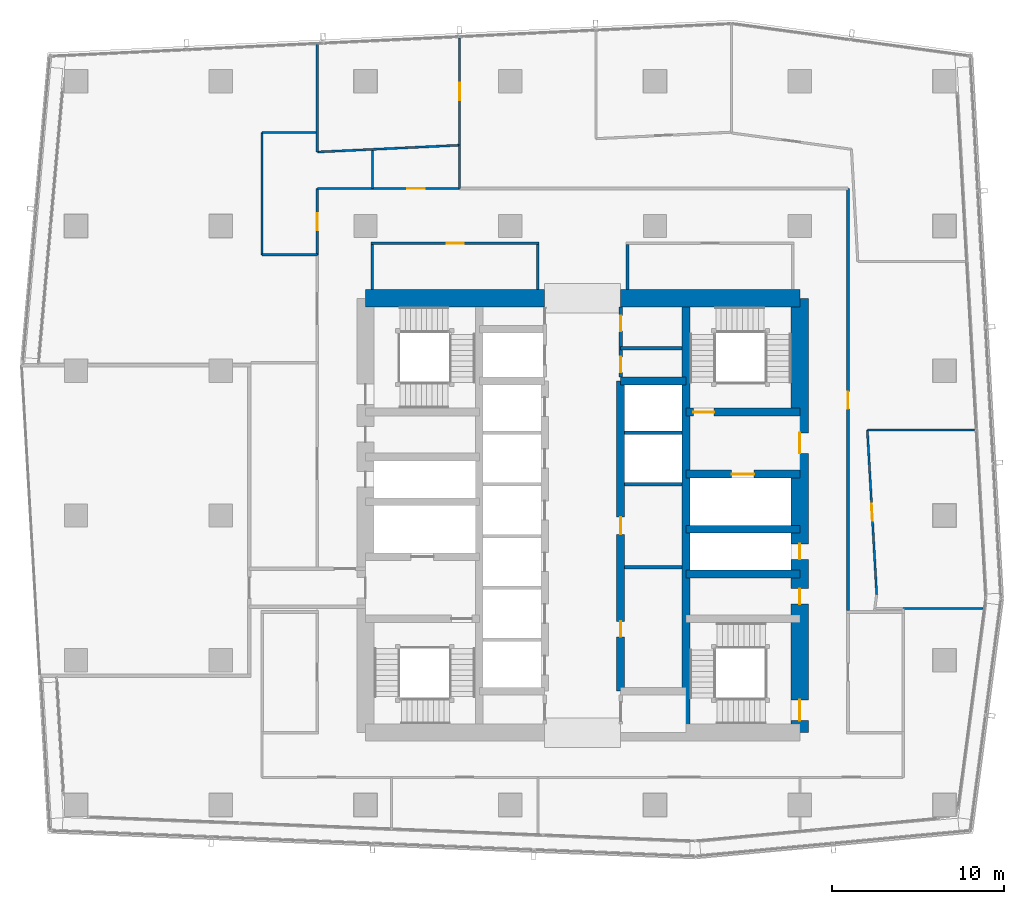
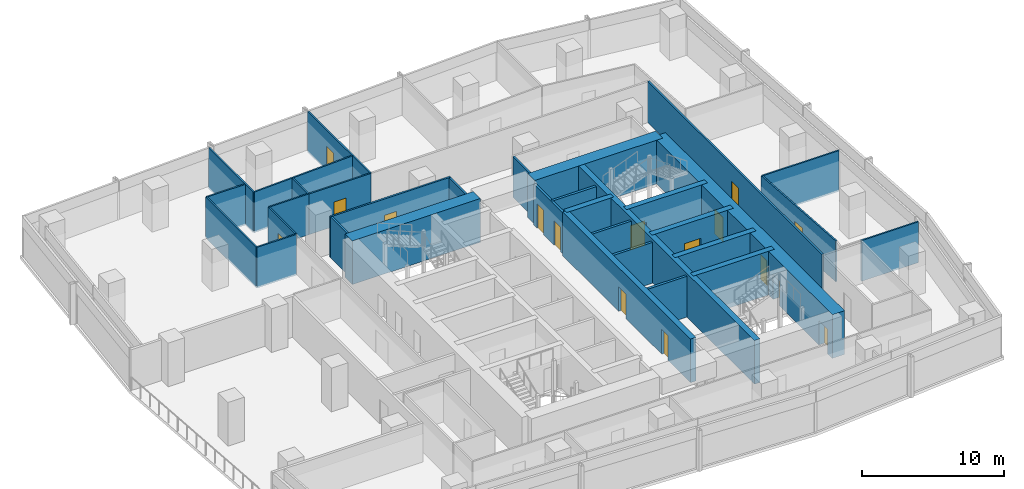
# One storey, part 28 of 39: 34 walls, 16 doors, 16 openings.
"""IFC4 building model written with IfcOpenShell, lengths in metres."""

from ifc_helpers import new_model, si_unit, direction, frame, frame_2d, origin, place, context, subcontext, project, spatial, rectangle, extrude, material, layer, layer_set, type_object, element, fill, save


model = new_model("IFC4")

# Units and contexts
model_context = context("Model", 3, precision=1e-05, world=origin(), true_north=direction((0.0, 1.0)))
body_context = subcontext(model_context, "Body", "Model", "MODEL_VIEW")
ifc_project = project(units=[si_unit("LENGTHUNIT", "METRE"), si_unit("AREAUNIT", "SQUARE_METRE"), si_unit("VOLUMEUNIT", "CUBIC_METRE"), si_unit("PLANEANGLEUNIT", "RADIAN"), si_unit("MASSUNIT", "GRAM", prefix="KILO")], contexts=[model_context])

# Site, building, storey
site_placement = place(None, origin())
site = spatial("IfcSite", under=ifc_project, at=site_placement, CompositionType="ELEMENT")
building_placement = place(site_placement, origin())
building = spatial("IfcBuilding", under=site, at=building_placement, Name="Rekha Terrace Tower", CompositionType="ELEMENT")
storey_placement = place(building_placement, frame((0.0, 0.0, 221.449951171875)))
storey = spatial("IfcBuildingStorey", under=building, at=storey_placement, Name="L56", CompositionType="ELEMENT", Elevation=221.449951171875)

# Wall
ifc_material_1 = material(Name="Concrete M60", Category="concrete")
ifc_layer_1 = layer(ifc_material_1, 0.449951171875)
ifc_layer_set_1 = layer_set([ifc_layer_1], Name="Concrete M60")
wall_type_1 = type_object("IfcWallType", Name="CI3 450 core internal shear wall", PredefinedType="SHEAR", material=ifc_layer_set_1)
wall_1_placement = place(storey_placement, frame((43.800048828125, 21.0, 0.0), z_axis=(0.0, 0.0, 1.0), x_axis=(0.0, 1.0, 0.0)))
element("IfcWall", 1, at=wall_1_placement, inside=storey, type_object=wall_type_1, Name="Core wall X438 L56", PredefinedType="SHEAR", context=body_context, shape_type="SweptSolid", body=[
    extrude(rectangle(XDim=25.199951171875, YDim=0.449951171875, at=frame_2d((12.60009765625, 0.0))), origin(), (0.0, 0.0, 1.0), 3.75),
])

# Wall, openings, doors
wall_2_placement = place(storey_placement, frame((40.0, 23.39990234375, 0.0), z_axis=(0.0, 0.0, 1.0), x_axis=(0.0, 1.0, 0.0)))
wall_2 = element("IfcWall", 2, at=wall_2_placement, inside=storey, type_object=wall_type_1, Name="Core wall X400 L56", PredefinedType="SHEAR", context=body_context, shape_type="SweptSolid", body=[
    extrude(rectangle(XDim=18.0, YDim=0.449951171875, at=frame_2d((9.0, 0.0))), origin(), (0.0, 0.0, 1.0), 3.75),
])
opening_1_placement = place(wall_2_placement, frame((3.14990234375, 0.0, 0.0)))
opening_1 = element("IfcOpeningElement", 3, at=opening_1_placement, cuts=wall_2, Name="Opening D5", PredefinedType="OPENING", context=body_context, shape_type="SweptSolid", body=[
    extrude(rectangle(XDim=0.89990234375, YDim=2.10009765625, at=frame_2d((0.449951171875, 1.050048828125))), frame((0.0, 0.23486328125, 0.0), z_axis=(0.0, -1.0, 0.0), x_axis=(1.0, 0.0, 0.0)), (0.0, 0.0, 1.0), 0.469970703125),
])
opening_2_placement = place(wall_2_placement, frame((9.10009765625, 0.0, 0.0)))
opening_2 = element("IfcOpeningElement", 4, at=opening_2_placement, cuts=wall_2, Name="Opening D9", PredefinedType="OPENING", context=body_context, shape_type="SweptSolid", body=[
    extrude(rectangle(XDim=1.0, YDim=2.10009765625, at=frame_2d((0.5, 1.050048828125))), frame((0.0, 0.23486328125, 0.0), z_axis=(0.0, -1.0, 0.0), x_axis=(1.0, 0.0, 0.0)), (0.0, 0.0, 1.0), 0.469970703125),
])
ifc_material_2 = material(Name="Steel fire door", Category="steel")
door_type_1 = type_object("IfcDoorType", Name="D5 900x2100 riser access door", OperationType="SINGLE_SWING_LEFT", PredefinedType="DOOR", material=ifc_material_2)
door_1_placement = place(opening_1_placement, origin())
door_1 = element("IfcDoor", 5, at=door_1_placement, inside=storey, type_object=door_type_1, Name="Door back-of-house store L56", OperationType="SINGLE_SWING_LEFT", OverallHeight=2.10009765625, OverallWidth=0.89990234375, PredefinedType="DOOR", context=body_context, shape_type="SweptSolid", body=[
    extrude(rectangle(XDim=0.89990234375, YDim=2.10009765625, at=frame_2d((0.449951171875, 1.050048828125))), frame((0.0, 0.02490234375, 0.0), z_axis=(0.0, -1.0, 0.0), x_axis=(1.0, 0.0, 0.0)), (0.0, 0.0, 1.0), 0.050048828125),
])
fill(opening_1, door_1)
ifc_material_3 = material(Name="Timber fire door", Category="wood")
door_type_2 = type_object("IfcDoorType", Name="D9 1000x2100 office door", OperationType="SINGLE_SWING_LEFT", PredefinedType="DOOR", material=ifc_material_3)
door_2_placement = place(opening_2_placement, origin())
door_2 = element("IfcDoor", 6, at=door_2_placement, inside=storey, type_object=door_type_2, Name="Door pantry and vending room L56", OperationType="SINGLE_SWING_LEFT", OverallHeight=2.10009765625, OverallWidth=1.0, PredefinedType="DOOR", context=body_context, shape_type="SweptSolid", body=[
    extrude(rectangle(XDim=1.0, YDim=2.10009765625, at=frame_2d((0.5, 1.050048828125))), frame((0.0, 0.02490234375, 0.0), z_axis=(0.0, -1.0, 0.0), x_axis=(1.0, 0.0, 0.0)), (0.0, 0.0, 1.0), 0.050048828125),
])
fill(opening_2, door_2)

# Walls
wall_3_placement = place(storey_placement, frame((40.0, 41.39990234375, 0.0), z_axis=(0.0, 0.0, 1.0), x_axis=(1.0, 0.0, 0.0)))
element("IfcWall", 7, at=wall_3_placement, inside=storey, type_object=wall_type_1, Name="Core wall Y414E L56", PredefinedType="SHEAR", context=body_context, shape_type="SweptSolid", body=[
    extrude(rectangle(XDim=3.800048828125, YDim=0.449951171875, at=frame_2d((1.89990234375, 0.0))), origin(), (0.0, 0.0, 1.0), 3.75),
])
for number, where, z_axis, x_axis, name in (
    (8, (43.800048828125, 30.199951171875, 0.0), (0.0, 0.0, 1.0), (1.0, 0.0, 0.0), "Core wall Y302E L56"),
    (9, (43.800048828125, 32.800048828125, 0.0), (0.0, 0.0, 1.0), (1.0, 0.0, 0.0), "Core wall Y328E L56"),
):
    element("IfcWall", number, at=place(storey_placement, frame(where, z_axis=z_axis, x_axis=x_axis)), inside=storey, type_object=wall_type_1, Name=name, PredefinedType="SHEAR", context=body_context, shape_type="SweptSolid", body=[
        extrude(rectangle(XDim=6.599853515625, YDim=0.449951171875, at=frame_2d((3.2998046875, 0.0))), origin(), (0.0, 0.0, 1.0), 3.75),
    ])

# Wall, opening, door
wall_4_placement = place(storey_placement, frame((43.800048828125, 36.0, 0.0), z_axis=(0.0, 0.0, 1.0), x_axis=(1.0, 0.0, 0.0)))
wall_4 = element("IfcWall", 10, at=wall_4_placement, inside=storey, type_object=wall_type_1, Name="Core wall Y360E L56", PredefinedType="SHEAR", context=body_context, shape_type="SweptSolid", body=[
    extrude(rectangle(XDim=6.599853515625, YDim=0.449951171875, at=frame_2d((3.2998046875, 0.0))), origin(), (0.0, 0.0, 1.0), 3.75),
])
opening_3_placement = place(wall_4_placement, frame((2.64990234375, 0.0, 0.0)))
opening_3 = element("IfcOpeningElement", 11, at=opening_3_placement, cuts=wall_4, Name="Opening LD2", PredefinedType="OPENING", context=body_context, shape_type="SweptSolid", body=[
    extrude(rectangle(XDim=1.300048828125, YDim=2.10009765625, at=frame_2d((0.64990234375, 1.050048828125))), frame((0.0, 0.23486328125, 0.0), z_axis=(0.0, -1.0, 0.0), x_axis=(1.0, 0.0, 0.0)), (0.0, 0.0, 1.0), 0.469970703125),
])
ifc_material_4 = material(Name="Stainless steel sliding landing door", Category="steel")
door_type_3 = type_object("IfcDoorType", Name="LD2 1300x2100 fire lift landing door", OperationType="SLIDING_TO_LEFT", PredefinedType="USERDEFINED", material=ifc_material_4)
door_3_placement = place(opening_3_placement, origin())
door_3 = element("IfcDoor", 12, at=door_3_placement, inside=storey, type_object=door_type_3, Name="Lift FL2 landing door L56", ObjectType="LIFT LANDING DOOR", OperationType="SLIDING_TO_LEFT", OverallHeight=2.10009765625, OverallWidth=1.300048828125, PredefinedType="USERDEFINED", context=body_context, shape_type="SweptSolid", body=[
    extrude(rectangle(XDim=1.300048828125, YDim=2.10009765625, at=frame_2d((0.64990234375, 1.050048828125))), frame((0.0, 0.02490234375, 0.0), z_axis=(0.0, -1.0, 0.0), x_axis=(1.0, 0.0, 0.0)), (0.0, 0.0, 1.0), 0.050048828125),
])
fill(opening_3, door_3)

wall_5_placement = place(storey_placement, frame((43.800048828125, 39.60009765625, 0.0), z_axis=(0.0, 0.0, 1.0), x_axis=(1.0, 0.0, 0.0)))
wall_5 = element("IfcWall", 13, at=wall_5_placement, inside=storey, type_object=wall_type_1, Name="Core wall Y396E L56", PredefinedType="SHEAR", context=body_context, shape_type="SweptSolid", body=[
    extrude(rectangle(XDim=6.599853515625, YDim=0.449951171875, at=frame_2d((3.2998046875, 0.0))), origin(), (0.0, 0.0, 1.0), 3.75),
])
opening_4_placement = place(wall_5_placement, frame((0.425048828125, 0.0, 0.0)))
opening_4 = element("IfcOpeningElement", 14, at=opening_4_placement, cuts=wall_5, Name="Opening D1", PredefinedType="OPENING", context=body_context, shape_type="SweptSolid", body=[
    extrude(rectangle(XDim=1.199951171875, YDim=2.10009765625, at=frame_2d((0.60009765625, 1.050048828125))), frame((0.0, 0.23486328125, 0.0), z_axis=(0.0, -1.0, 0.0), x_axis=(1.0, 0.0, 0.0)), (0.0, 0.0, 1.0), 0.469970703125),
])
door_type_4 = type_object("IfcDoorType", Name="D1 1200x2100 stair fire door", OperationType="SINGLE_SWING_RIGHT", PredefinedType="DOOR", material=ifc_material_2)
door_4_placement = place(opening_4_placement, origin())
door_4 = element("IfcDoor", 15, at=door_4_placement, inside=storey, type_object=door_type_4, Name="Stair ST2 door L56", OperationType="SINGLE_SWING_RIGHT", OverallHeight=2.10009765625, OverallWidth=1.199951171875, PredefinedType="DOOR", context=body_context, shape_type="SweptSolid", body=[
    extrude(rectangle(XDim=1.199951171875, YDim=2.10009765625, at=frame_2d((0.60009765625, 1.050048828125))), frame((0.0, 0.02490234375, 0.0), z_axis=(0.0, -1.0, 0.0), x_axis=(1.0, 0.0, 0.0)), (0.0, 0.0, 1.0), 0.050048828125),
])
fill(opening_4, door_4)

# Walls
ifc_layer_2 = layer(ifc_material_1, 1.0)
ifc_layer_set_2 = layer_set([ifc_layer_2], Name="Concrete M60")
wall_type_2 = type_object("IfcWallType", Name="SW3 1000 core outer shear wall", PredefinedType="SHEAR", material=ifc_layer_set_2)
wall_6_placement = place(storey_placement, frame((25.199951171875, 46.199951171875, 0.0), z_axis=(0.0, 0.0, 1.0), x_axis=(1.0, 0.0, 0.0)))
element("IfcWall", 16, at=wall_6_placement, inside=storey, type_object=wall_type_2, Name="Core wall N1 L56", PredefinedType="SHEAR", context=body_context, shape_type="SweptSolid", body=[
    extrude(rectangle(XDim=10.400146484375, YDim=1.0, at=frame_2d((5.2001953125, 0.0))), origin(), (0.0, 0.0, 1.0), 3.75),
])
wall_7_placement = place(storey_placement, frame((40.0, 46.199951171875, 0.0), z_axis=(0.0, 0.0, 1.0), x_axis=(1.0, 0.0, 0.0)))
element("IfcWall", 17, at=wall_7_placement, inside=storey, type_object=wall_type_2, Name="Core wall N2 L56", PredefinedType="SHEAR", context=body_context, shape_type="SweptSolid", body=[
    extrude(rectangle(XDim=10.39990234375, YDim=1.0, at=frame_2d((5.199951171875, 0.0))), origin(), (0.0, 0.0, 1.0), 3.75),
])

# Wall, openings, doors
wall_8_placement = place(storey_placement, frame((50.39990234375, 21.0, 0.0), z_axis=(0.0, 0.0, 1.0), x_axis=(0.0, 1.0, 0.0)))
wall_8 = element("IfcWall", 18, at=wall_8_placement, inside=storey, type_object=wall_type_2, Name="Core wall E L56", PredefinedType="SHEAR", context=body_context, shape_type="SweptSolid", body=[
    extrude(rectangle(XDim=25.199951171875, YDim=1.0, at=frame_2d((12.60009765625, 0.0))), origin(), (0.0, 0.0, 1.0), 3.75),
])
opening_5_placement = place(wall_8_placement, frame((16.199951171875, 0.0, 0.0)))
opening_5 = element("IfcOpeningElement", 19, at=opening_5_placement, cuts=wall_8, Name="Opening D2", PredefinedType="OPENING", context=body_context, shape_type="SweptSolid", body=[
    extrude(rectangle(XDim=1.199951171875, YDim=2.10009765625, at=frame_2d((0.60009765625, 1.050048828125))), frame((0.0, 0.510009765625, 0.0), z_axis=(0.0, -1.0, 0.0), x_axis=(1.0, 0.0, 0.0)), (0.0, 0.0, 1.0), 1.02001953125),
])
opening_6_placement = place(wall_8_placement, frame((10.050048828125, 0.0, 0.0)))
opening_6 = element("IfcOpeningElement", 20, at=opening_6_placement, cuts=wall_8, Name="Opening D5", PredefinedType="OPENING", context=body_context, shape_type="SweptSolid", body=[
    extrude(rectangle(XDim=0.89990234375, YDim=2.10009765625, at=frame_2d((0.449951171875, 1.050048828125))), frame((0.0, 0.510009765625, 0.0), z_axis=(0.0, -1.0, 0.0), x_axis=(1.0, 0.0, 0.0)), (0.0, 0.0, 1.0), 1.02001953125),
])
opening_7_placement = place(wall_8_placement, frame((7.449951171875, 0.0, 0.0)))
opening_7 = element("IfcOpeningElement", 21, at=opening_7_placement, cuts=wall_8, Name="Opening D5", PredefinedType="OPENING", context=body_context, shape_type="SweptSolid", body=[
    extrude(rectangle(XDim=0.89990234375, YDim=2.10009765625, at=frame_2d((0.449951171875, 1.050048828125))), frame((0.0, 0.510009765625, 0.0), z_axis=(0.0, -1.0, 0.0), x_axis=(1.0, 0.0, 0.0)), (0.0, 0.0, 1.0), 1.02001953125),
])
opening_8_placement = place(wall_8_placement, frame((0.699951171875, 0.0, 0.0)))
opening_8 = element("IfcOpeningElement", 22, at=opening_8_placement, cuts=wall_8, Name="Opening D1", PredefinedType="OPENING", context=body_context, shape_type="SweptSolid", body=[
    extrude(rectangle(XDim=1.199951171875, YDim=2.10009765625, at=frame_2d((0.60009765625, 1.050048828125))), frame((0.0, 0.510009765625, 0.0), z_axis=(0.0, -1.0, 0.0), x_axis=(1.0, 0.0, 0.0)), (0.0, 0.0, 1.0), 1.02001953125),
])
door_5_placement = place(opening_8_placement, origin())
door_5 = element("IfcDoor", 23, at=door_5_placement, inside=storey, type_object=door_type_4, Name="Stair ST3 door L56", OperationType="SINGLE_SWING_RIGHT", OverallHeight=2.10009765625, OverallWidth=1.199951171875, PredefinedType="DOOR", context=body_context, shape_type="SweptSolid", body=[
    extrude(rectangle(XDim=1.199951171875, YDim=2.10009765625, at=frame_2d((0.60009765625, 1.050048828125))), frame((0.0, 0.02490234375, 0.0), z_axis=(0.0, -1.0, 0.0), x_axis=(1.0, 0.0, 0.0)), (0.0, 0.0, 1.0), 0.050048828125),
])
fill(opening_8, door_5)
door_type_5 = type_object("IfcDoorType", Name="D2 1200x2100 firefighting lobby door", OperationType="SINGLE_SWING_LEFT", PredefinedType="DOOR", material=ifc_material_2)
door_6_placement = place(opening_5_placement, origin())
door_6 = element("IfcDoor", 24, at=door_6_placement, inside=storey, type_object=door_type_5, Name="Door flb2 L56", OperationType="SINGLE_SWING_LEFT", OverallHeight=2.10009765625, OverallWidth=1.199951171875, PredefinedType="DOOR", context=body_context, shape_type="SweptSolid", body=[
    extrude(rectangle(XDim=1.199951171875, YDim=2.10009765625, at=frame_2d((0.60009765625, 1.050048828125))), frame((0.0, 0.02490234375, 0.0), z_axis=(0.0, -1.0, 0.0), x_axis=(1.0, 0.0, 0.0)), (0.0, 0.0, 1.0), 0.050048828125),
])
fill(opening_5, door_6)
door_7_placement = place(opening_6_placement, origin())
door_7 = element("IfcDoor", 25, at=door_7_placement, inside=storey, type_object=door_type_1, Name="Door rs2 L56", OperationType="SINGLE_SWING_LEFT", OverallHeight=2.10009765625, OverallWidth=0.89990234375, PredefinedType="DOOR", context=body_context, shape_type="SweptSolid", body=[
    extrude(rectangle(XDim=0.89990234375, YDim=2.10009765625, at=frame_2d((0.449951171875, 1.050048828125))), frame((0.0, 0.02490234375, 0.0), z_axis=(0.0, -1.0, 0.0), x_axis=(1.0, 0.0, 0.0)), (0.0, 0.0, 1.0), 0.050048828125),
])
fill(opening_6, door_7)
door_8_placement = place(opening_7_placement, origin())
door_8 = element("IfcDoor", 26, at=door_8_placement, inside=storey, type_object=door_type_1, Name="Door ele L56", OperationType="SINGLE_SWING_LEFT", OverallHeight=2.10009765625, OverallWidth=0.89990234375, PredefinedType="DOOR", context=body_context, shape_type="SweptSolid", body=[
    extrude(rectangle(XDim=0.89990234375, YDim=2.10009765625, at=frame_2d((0.449951171875, 1.050048828125))), frame((0.0, 0.02490234375, 0.0), z_axis=(0.0, -1.0, 0.0), x_axis=(1.0, 0.0, 0.0)), (0.0, 0.0, 1.0), 0.050048828125),
])
fill(opening_7, door_8)

# Wall
ifc_material_5 = material(Name="Concrete block masonry, 1 hour", Category="masonry")
ifc_layer_3 = layer(ifc_material_5, 0.14990234375)
ifc_layer_set_3 = layer_set([ifc_layer_3], Name="Concrete block masonry, 1 hour")
wall_type_3 = type_object("IfcWallType", Name="WP2 150 tenancy partition", PredefinedType="PARTITIONING", material=ifc_layer_set_3)
wall_9_placement = place(storey_placement, frame((40.39990234375, 46.699951171875, 0.0), z_axis=(0.0, 0.0, 1.0), x_axis=(0.0, 1.0, 0.0)))
element("IfcWall", 27, at=wall_9_placement, inside=storey, type_object=wall_type_3, Name="Women's WC wall L56", PredefinedType="PARTITIONING", context=body_context, shape_type="SweptSolid", body=[
    extrude(rectangle(XDim=2.625, YDim=0.14990234375, at=frame_2d((1.3125, 0.0))), origin(), (0.0, 0.0, 1.0), 3.5),
])

# Wall, opening, door
wall_10_placement = place(storey_placement, frame((25.52490234375, 49.39990234375, 0.0), z_axis=(0.0, 0.0, 1.0), x_axis=(1.0, 0.0, 0.0)))
wall_10 = element("IfcWall", 28, at=wall_10_placement, inside=storey, type_object=wall_type_3, Name="Women's WC wall L56", PredefinedType="PARTITIONING", context=body_context, shape_type="SweptSolid", body=[
    extrude(rectangle(XDim=9.75, YDim=0.14990234375, at=frame_2d((4.875, 0.0))), origin(), (0.0, 0.0, 1.0), 3.5),
])
opening_9_placement = place(wall_10_placement, frame((4.375, 0.0, 0.0)))
opening_9 = element("IfcOpeningElement", 29, at=opening_9_placement, cuts=wall_10, Name="Opening D3", PredefinedType="OPENING", context=body_context, shape_type="SweptSolid", body=[
    extrude(rectangle(XDim=1.0, YDim=2.10009765625, at=frame_2d((0.5, 1.050048828125))), frame((0.0, 0.0849609375, 0.0), z_axis=(0.0, -1.0, 0.0), x_axis=(1.0, 0.0, 0.0)), (0.0, 0.0, 1.0), 0.169921875),
])
ifc_material_6 = material(Name="Laminated timber fire door", Category="wood")
door_type_6 = type_object("IfcDoorType", Name="D3 1000x2100 WC door", OperationType="SINGLE_SWING_LEFT", PredefinedType="DOOR", material=ifc_material_6)
door_9_placement = place(opening_9_placement, origin())
door_9 = element("IfcDoor", 30, at=door_9_placement, inside=storey, type_object=door_type_6, Name="Door women's wc L56", OperationType="SINGLE_SWING_LEFT", OverallHeight=2.10009765625, OverallWidth=1.0, PredefinedType="DOOR", context=body_context, shape_type="SweptSolid", body=[
    extrude(rectangle(XDim=1.0, YDim=2.10009765625, at=frame_2d((0.5, 1.050048828125))), frame((0.0, 0.02490234375, 0.0), z_axis=(0.0, -1.0, 0.0), x_axis=(1.0, 0.0, 0.0)), (0.0, 0.0, 1.0), 0.050048828125),
])
fill(opening_9, door_9)

# Walls
for number, where, z_axis, x_axis, name in (
    (31, (25.60009765625, 46.699951171875, 0.0), (0.0, 0.0, 1.0), (0.0, 1.0, 0.0), "Women's WC wall L56"),
    (32, (35.199951171875, 46.699951171875, 0.0), (0.0, 0.0, 1.0), (0.0, 1.0, 0.0), "Women's WC wall L56"),
):
    element("IfcWall", number, at=place(storey_placement, frame(where, z_axis=z_axis, x_axis=x_axis)), inside=storey, type_object=wall_type_3, Name=name, PredefinedType="PARTITIONING", context=body_context, shape_type="SweptSolid", body=[
        extrude(rectangle(XDim=2.625, YDim=0.14990234375, at=frame_2d((1.3125, 0.0))), origin(), (0.0, 0.0, 1.0), 3.5),
    ])

# Wall, opening, door
wall_11_placement = place(storey_placement, frame((53.199951171875, 28.074951171875, 0.0), z_axis=(0.0, 0.0, 1.0), x_axis=(0.0, 1.0, 0.0)))
wall_11 = element("IfcWall", 33, at=wall_11_placement, inside=storey, type_object=wall_type_3, Name="Partition L56-O1", PredefinedType="PARTITIONING", context=body_context, shape_type="SweptSolid", body=[
    extrude(rectangle(XDim=24.5, YDim=0.14990234375, at=frame_2d((12.25, 0.0))), origin(), (0.0, 0.0, 1.0), 3.5),
])
opening_10_placement = place(wall_11_placement, frame((11.712890625, 0.0, 0.0)))
opening_10 = element("IfcOpeningElement", 34, at=opening_10_placement, cuts=wall_11, Name="Opening D9", PredefinedType="OPENING", context=body_context, shape_type="SweptSolid", body=[
    extrude(rectangle(XDim=1.0, YDim=2.10009765625, at=frame_2d((0.5, 1.050048828125))), frame((0.0, 0.0849609375, 0.0), z_axis=(0.0, -1.0, 0.0), x_axis=(1.0, 0.0, 0.0)), (0.0, 0.0, 1.0), 0.169921875),
])
door_10_placement = place(opening_10_placement, origin())
door_10 = element("IfcDoor", 35, at=door_10_placement, inside=storey, type_object=door_type_2, Name="Door open-plan office L56", OperationType="SINGLE_SWING_LEFT", OverallHeight=2.10009765625, OverallWidth=1.0, PredefinedType="DOOR", context=body_context, shape_type="SweptSolid", body=[
    extrude(rectangle(XDim=1.0, YDim=2.10009765625, at=frame_2d((0.5, 1.050048828125))), frame((0.0, 0.02490234375, 0.0), z_axis=(0.0, -1.0, 0.0), x_axis=(1.0, 0.0, 0.0)), (0.0, 0.0, 1.0), 0.050048828125),
])
fill(opening_10, door_10)

# Walls
ifc_material_7 = material(Name="Two layers of fire-rated gypsum board each side on steel studs, acoustic quilt, 1 hour", Category="steel")
ifc_layer_4 = layer(ifc_material_7, 0.125)
ifc_layer_set_4 = layer_set([ifc_layer_4], Name="Two layers of fire-rated gypsum board each side on steel studs, acoustic quilt, 1 hour")
wall_type_4 = type_object("IfcWallType", Name="WP3 125 office partition", PredefinedType="PARTITIONING", material=ifc_layer_set_4)
wall_12_placement = place(storey_placement, frame((56.39990234375, 28.2080078125, 0.0), z_axis=(0.0, 0.0, 1.0), x_axis=(1.0, 0.0, 0.0)))
element("IfcWall", 36, at=wall_12_placement, inside=storey, type_object=wall_type_4, Name="Partition L56-03", PredefinedType="PARTITIONING", context=body_context, shape_type="SweptSolid", body=[
    extrude(rectangle(XDim=4.630126953125, YDim=0.125, at=frame_2d((2.31494140625, 0.0))), origin(), (0.0, 0.0, 1.0), 3.5),
])
wall_13_placement = place(storey_placement, frame((54.321044921875, 38.554931640625, 0.0), z_axis=(0.0, 0.0, 1.0), x_axis=(1.0, 0.0, 0.0)))
element("IfcWall", 37, at=wall_13_placement, inside=storey, type_object=wall_type_4, Name="Partition L56-04", PredefinedType="PARTITIONING", context=body_context, shape_type="SweptSolid", body=[
    extrude(rectangle(XDim=6.22998046875, YDim=0.125, at=frame_2d((3.114990234375, 0.0))), origin(), (0.0, 0.0, 1.0), 3.5),
])

# Wall, opening, door
wall_14_placement = place(storey_placement, frame((54.862060546875, 29.01708984375, 0.0), z_axis=(0.0, 0.0, 1.0), x_axis=(-0.056632031714, 0.99839511867, 0.0)))
wall_14 = element("IfcWall", 38, at=wall_14_placement, inside=storey, type_object=wall_type_4, Name="Partition L56-04", PredefinedType="PARTITIONING", context=body_context, shape_type="SweptSolid", body=[
    extrude(rectangle(XDim=9.55322265625, YDim=0.125, at=frame_2d((4.776611328125, 0.0))), origin(), (0.0, 0.0, 1.0), 3.5),
])
opening_11_placement = place(wall_14_placement, frame((4.277099609375, 0.0, 0.0)))
opening_11 = element("IfcOpeningElement", 39, at=opening_11_placement, cuts=wall_14, Name="Opening D9", PredefinedType="OPENING", context=body_context, shape_type="SweptSolid", body=[
    extrude(rectangle(XDim=1.0, YDim=2.10009765625, at=frame_2d((0.5, 1.050048828125))), frame((0.0, 0.072509765625, 0.0), z_axis=(0.0, -1.0, 0.0), x_axis=(1.0, 0.0, 0.0)), (0.0, 0.0, 1.0), 0.14501953125),
])
door_11_placement = place(opening_11_placement, origin())
door_11 = element("IfcDoor", 40, at=door_11_placement, inside=storey, type_object=door_type_2, Name="Door director's office L56", OperationType="SINGLE_SWING_LEFT", OverallHeight=2.10009765625, OverallWidth=1.0, PredefinedType="DOOR", context=body_context, shape_type="SweptSolid", body=[
    extrude(rectangle(XDim=1.0, YDim=2.10009765625, at=frame_2d((0.5, 1.050048828125))), frame((0.0, 0.02490234375, 0.0), z_axis=(0.0, -1.0, 0.0), x_axis=(1.0, 0.0, 0.0)), (0.0, 0.0, 1.0), 0.050048828125),
])
fill(opening_11, door_11)

wall_15_placement = place(storey_placement, frame((30.660888671875, 61.31298828125, 0.0), z_axis=(0.0, 0.0, 1.0), x_axis=(0.0, -1.0, 0.0)))
wall_15 = element("IfcWall", 41, at=wall_15_placement, inside=storey, type_object=wall_type_4, Name="Partition L56-07", PredefinedType="PARTITIONING", context=body_context, shape_type="SweptSolid", body=[
    extrude(rectangle(XDim=6.22705078125, YDim=0.125, at=frame_2d((3.113525390625, 0.0))), origin(), (0.0, 0.0, 1.0), 3.5),
])
opening_12_placement = place(wall_15_placement, frame((2.614013671875, 0.0, 0.0)))
opening_12 = element("IfcOpeningElement", 42, at=opening_12_placement, cuts=wall_15, Name="Opening D9", PredefinedType="OPENING", context=body_context, shape_type="SweptSolid", body=[
    extrude(rectangle(XDim=1.0, YDim=2.10009765625, at=frame_2d((0.5, 1.050048828125))), frame((0.0, 0.072509765625, 0.0), z_axis=(0.0, -1.0, 0.0), x_axis=(1.0, 0.0, 0.0)), (0.0, 0.0, 1.0), 0.14501953125),
])
door_12_placement = place(opening_12_placement, origin())
door_12 = element("IfcDoor", 43, at=door_12_placement, inside=storey, type_object=door_type_2, Name="Door director's office L56", OperationType="SINGLE_SWING_LEFT", OverallHeight=2.10009765625, OverallWidth=1.0, PredefinedType="DOOR", context=body_context, shape_type="SweptSolid", body=[
    extrude(rectangle(XDim=1.0, YDim=2.10009765625, at=frame_2d((0.5, 1.050048828125))), frame((0.0, 0.02490234375, 0.0), z_axis=(0.0, -1.0, 0.0), x_axis=(1.0, 0.0, 0.0)), (0.0, 0.0, 1.0), 0.050048828125),
])
fill(opening_12, door_12)

# Walls
wall_16_placement = place(storey_placement, frame((30.660888671875, 55.0859375, 0.0), z_axis=(0.0, 0.0, 1.0), x_axis=(-0.998858431805, -0.047768537897, 0.0)))
element("IfcWall", 44, at=wall_16_placement, inside=storey, type_object=wall_type_4, Name="Partition L56-07", PredefinedType="PARTITIONING", context=body_context, shape_type="SweptSolid", body=[
    extrude(rectangle(XDim=8.26953125, YDim=0.125, at=frame_2d((4.134765625, 0.0))), origin(), (0.0, 0.0, 1.0), 3.5),
])
wall_17_placement = place(storey_placement, frame((22.40087890625, 54.69091796875, 0.0), z_axis=(0.0, 0.0, 1.0), x_axis=(0.0, 1.0, 0.0)))
element("IfcWall", 45, at=wall_17_placement, inside=storey, type_object=wall_type_4, Name="Partition L56-07", PredefinedType="PARTITIONING", context=body_context, shape_type="SweptSolid", body=[
    extrude(rectangle(XDim=6.257080078125, YDim=0.125, at=frame_2d((3.12841796875, 0.0))), origin(), (0.0, 0.0, 1.0), 3.5),
])
wall_18_placement = place(storey_placement, frame((22.337890625, 55.8291015625, 0.0), z_axis=(0.0, 0.0, 1.0), x_axis=(-1.0, 0.0, 0.0)))
element("IfcWall", 46, at=wall_18_placement, inside=storey, type_object=wall_type_4, Name="Partition L56-09", PredefinedType="PARTITIONING", context=body_context, shape_type="SweptSolid", body=[
    extrude(rectangle(XDim=3.137939453125, YDim=0.125, at=frame_2d((1.56884765625, 0.0))), origin(), (0.0, 0.0, 1.0), 3.5),
])
wall_19_placement = place(storey_placement, frame((19.199951171875, 55.8291015625, 0.0), z_axis=(0.0, 0.0, 1.0), x_axis=(0.0, -1.0, 0.0)))
element("IfcWall", 47, at=wall_19_placement, inside=storey, type_object=wall_type_4, Name="Partition L56-09", PredefinedType="PARTITIONING", context=body_context, shape_type="SweptSolid", body=[
    extrude(rectangle(XDim=7.10009765625, YDim=0.125, at=frame_2d((3.550048828125, 0.0))), origin(), (0.0, 0.0, 1.0), 3.5),
])
wall_20_placement = place(storey_placement, frame((19.199951171875, 48.72900390625, 0.0), z_axis=(0.0, 0.0, 1.0), x_axis=(1.0, 0.0, 0.0)))
element("IfcWall", 48, at=wall_20_placement, inside=storey, type_object=wall_type_4, Name="Partition L56-09", PredefinedType="PARTITIONING", context=body_context, shape_type="SweptSolid", body=[
    extrude(rectangle(XDim=3.199951171875, YDim=0.125, at=frame_2d((1.60009765625, 0.0))), origin(), (0.0, 0.0, 1.0), 3.5),
])
wall_21_placement = place(storey_placement, frame((25.60009765625, 54.781005859375, 0.0), z_axis=(0.0, 0.0, 1.0), x_axis=(0.0, -1.0, 0.0)))
element("IfcWall", 49, at=wall_21_placement, inside=storey, type_object=wall_type_4, Name="Partition L56-12", PredefinedType="PARTITIONING", context=body_context, shape_type="SweptSolid", body=[
    extrude(rectangle(XDim=2.2060546875, YDim=0.125, at=frame_2d((1.10302734375, 0.0))), origin(), (0.0, 0.0, 1.0), 3.5),
])
wall_22_placement = place(storey_placement, frame((25.60009765625, 52.574951171875, 0.0), z_axis=(0.0, 0.0, 1.0), x_axis=(-1.0, 0.0, 0.0)))
element("IfcWall", 50, at=wall_22_placement, inside=storey, type_object=wall_type_4, Name="Partition L56-12", PredefinedType="PARTITIONING", context=body_context, shape_type="SweptSolid", body=[
    extrude(rectangle(XDim=3.2001953125, YDim=0.125, at=frame_2d((1.60009765625, 0.0))), origin(), (0.0, 0.0, 1.0), 3.5),
])

# Wall, opening, door
wall_23_placement = place(storey_placement, frame((22.39990234375, 52.574951171875, 0.0), z_axis=(0.0, 0.0, 1.0), x_axis=(0.0, -1.0, 0.0)))
wall_23 = element("IfcWall", 51, at=wall_23_placement, inside=storey, type_object=wall_type_4, Name="Partition L56-12", PredefinedType="PARTITIONING", context=body_context, shape_type="SweptSolid", body=[
    extrude(rectangle(XDim=3.845947265625, YDim=0.125, at=frame_2d((1.9228515625, 0.0))), origin(), (0.0, 0.0, 1.0), 3.5),
])
opening_13_placement = place(wall_23_placement, frame((1.423095703125, 0.0, 0.0)))
opening_13 = element("IfcOpeningElement", 52, at=opening_13_placement, cuts=wall_23, Name="Opening D9", PredefinedType="OPENING", context=body_context, shape_type="SweptSolid", body=[
    extrude(rectangle(XDim=1.0, YDim=2.10009765625, at=frame_2d((0.5, 1.050048828125))), frame((0.0, 0.072509765625, 0.0), z_axis=(0.0, -1.0, 0.0), x_axis=(1.0, 0.0, 0.0)), (0.0, 0.0, 1.0), 0.14501953125),
])
door_13_placement = place(opening_13_placement, origin())
door_13 = element("IfcDoor", 53, at=door_13_placement, inside=storey, type_object=door_type_2, Name="Door reception L56", OperationType="SINGLE_SWING_LEFT", OverallHeight=2.10009765625, OverallWidth=1.0, PredefinedType="DOOR", context=body_context, shape_type="SweptSolid", body=[
    extrude(rectangle(XDim=1.0, YDim=2.10009765625, at=frame_2d((0.5, 1.050048828125))), frame((0.0, 0.02490234375, 0.0), z_axis=(0.0, -1.0, 0.0), x_axis=(1.0, 0.0, 0.0)), (0.0, 0.0, 1.0), 0.050048828125),
])
fill(opening_13, door_13)

wall_24_placement = place(storey_placement, frame((30.660888671875, 52.574951171875, 0.0), z_axis=(0.0, 0.0, 1.0), x_axis=(-1.0, 0.0, 0.0)))
wall_24 = element("IfcWall", 54, at=wall_24_placement, inside=storey, type_object=wall_type_4, Name="Partition L56-13", PredefinedType="PARTITIONING", context=body_context, shape_type="SweptSolid", body=[
    extrude(rectangle(XDim=5.060791015625, YDim=0.125, at=frame_2d((2.5302734375, 0.0))), origin(), (0.0, 0.0, 1.0), 3.5),
])
opening_14_placement = place(wall_24_placement, frame((2.030029296875, 0.0, 0.0)))
opening_14 = element("IfcOpeningElement", 55, at=opening_14_placement, cuts=wall_24, Name="Opening D9", PredefinedType="OPENING", context=body_context, shape_type="SweptSolid", body=[
    extrude(rectangle(XDim=1.0, YDim=2.10009765625, at=frame_2d((0.5, 1.050048828125))), frame((0.0, 0.072509765625, 0.0), z_axis=(0.0, -1.0, 0.0), x_axis=(1.0, 0.0, 0.0)), (0.0, 0.0, 1.0), 0.14501953125),
])
door_14_placement = place(opening_14_placement, origin())
door_14 = element("IfcDoor", 56, at=door_14_placement, inside=storey, type_object=door_type_2, Name="Door meeting room L56", OperationType="SINGLE_SWING_LEFT", OverallHeight=2.10009765625, OverallWidth=1.0, PredefinedType="DOOR", context=body_context, shape_type="SweptSolid", body=[
    extrude(rectangle(XDim=1.0, YDim=2.10009765625, at=frame_2d((0.5, 1.050048828125))), frame((0.0, 0.02490234375, 0.0), z_axis=(0.0, -1.0, 0.0), x_axis=(1.0, 0.0, 0.0)), (0.0, 0.0, 1.0), 0.050048828125),
])
fill(opening_14, door_14)

# Walls
wall_25_placement = place(storey_placement, frame((30.660888671875, 55.0859375, 0.0), z_axis=(0.0, 0.0, 1.0), x_axis=(0.0, -1.0, 0.0)))
element("IfcWall", 57, at=wall_25_placement, inside=storey, type_object=wall_type_4, Name="Partition L56-13", PredefinedType="PARTITIONING", context=body_context, shape_type="SweptSolid", body=[
    extrude(rectangle(XDim=2.510986328125, YDim=0.125, at=frame_2d((1.25537109375, 0.0))), origin(), (0.0, 0.0, 1.0), 3.5),
])
ifc_material_8 = material(Name="Solid concrete block masonry, 2 hour", Category="masonry")
ifc_layer_5 = layer(ifc_material_8, 0.199951171875)
ifc_layer_set_5 = layer_set([ifc_layer_5], Name="Solid concrete block masonry, 2 hour")
wall_type_5 = type_object("IfcWallType", Name="WS1 200 stair and shaft enclosure", PredefinedType="PARTITIONING", material=ifc_layer_set_5)
for number, where, z_axis, x_axis, name in (
    (58, (40.22509765625, 35.39990234375, 0.0), (0.0, 0.0, 1.0), (1.0, 0.0, 0.0), "Lift shaft divider L56"),
    (59, (40.22509765625, 38.39990234375, 0.0), (0.0, 0.0, 1.0), (1.0, 0.0, 0.0), "Lift shaft divider L56"),
):
    element("IfcWall", number, at=place(storey_placement, frame(where, z_axis=z_axis, x_axis=x_axis)), inside=storey, type_object=wall_type_5, Name=name, PredefinedType="PARTITIONING", context=body_context, shape_type="SweptSolid", body=[
        extrude(rectangle(XDim=3.349853515625, YDim=0.199951171875, at=frame_2d((1.6748046875, 0.0))), origin(), (0.0, 0.0, 1.0), 3.5),
    ])

# Wall, openings, doors
wall_26_placement = place(storey_placement, frame((40.0, 41.625, 0.0), z_axis=(0.0, 0.0, 1.0), x_axis=(0.0, 1.0, 0.0)))
wall_26 = element("IfcWall", 60, at=wall_26_placement, inside=storey, type_object=wall_type_5, Name="Core partition elec L56", PredefinedType="PARTITIONING", context=body_context, shape_type="SweptSolid", body=[
    extrude(rectangle(XDim=4.074951171875, YDim=0.199951171875, at=frame_2d((2.03759765625, 0.0))), origin(), (0.0, 0.0, 1.0), 3.5),
])
opening_15_placement = place(wall_26_placement, frame((2.675048828125, 0.0, 0.0)))
opening_15 = element("IfcOpeningElement", 61, at=opening_15_placement, cuts=wall_26, Name="Opening D5", PredefinedType="OPENING", context=body_context, shape_type="SweptSolid", body=[
    extrude(rectangle(XDim=0.89990234375, YDim=2.10009765625, at=frame_2d((0.449951171875, 1.050048828125))), frame((0.0, 0.10986328125, 0.0), z_axis=(0.0, -1.0, 0.0), x_axis=(1.0, 0.0, 0.0)), (0.0, 0.0, 1.0), 0.219970703125),
])
opening_16_placement = place(wall_26_placement, frame((0.27490234375, 0.0, 0.0)))
opening_16 = element("IfcOpeningElement", 62, at=opening_16_placement, cuts=wall_26, Name="Opening D5", PredefinedType="OPENING", context=body_context, shape_type="SweptSolid", body=[
    extrude(rectangle(XDim=0.89990234375, YDim=2.10009765625, at=frame_2d((0.449951171875, 1.050048828125))), frame((0.0, 0.10986328125, 0.0), z_axis=(0.0, -1.0, 0.0), x_axis=(1.0, 0.0, 0.0)), (0.0, 0.0, 1.0), 0.219970703125),
])
door_15_placement = place(opening_15_placement, origin())
door_15 = element("IfcDoor", 63, at=door_15_placement, inside=storey, type_object=door_type_1, Name="Door electrical room L56", OperationType="SINGLE_SWING_LEFT", OverallHeight=2.10009765625, OverallWidth=0.89990234375, PredefinedType="DOOR", context=body_context, shape_type="SweptSolid", body=[
    extrude(rectangle(XDim=0.89990234375, YDim=2.10009765625, at=frame_2d((0.449951171875, 1.050048828125))), frame((0.0, 0.02490234375, 0.0), z_axis=(0.0, -1.0, 0.0), x_axis=(1.0, 0.0, 0.0)), (0.0, 0.0, 1.0), 0.050048828125),
])
fill(opening_15, door_15)
door_16_placement = place(opening_16_placement, origin())
door_16 = element("IfcDoor", 64, at=door_16_placement, inside=storey, type_object=door_type_1, Name="Door stationery store L56", OperationType="SINGLE_SWING_LEFT", OverallHeight=2.10009765625, OverallWidth=0.89990234375, PredefinedType="DOOR", context=body_context, shape_type="SweptSolid", body=[
    extrude(rectangle(XDim=0.89990234375, YDim=2.10009765625, at=frame_2d((0.449951171875, 1.050048828125))), frame((0.0, 0.02490234375, 0.0), z_axis=(0.0, -1.0, 0.0), x_axis=(1.0, 0.0, 0.0)), (0.0, 0.0, 1.0), 0.050048828125),
])
fill(opening_16, door_16)

# Walls
wall_27_placement = place(storey_placement, frame((40.22509765625, 30.60009765625, 0.0), z_axis=(0.0, 0.0, 1.0), x_axis=(1.0, 0.0, 0.0)))
element("IfcWall", 65, at=wall_27_placement, inside=storey, type_object=wall_type_5, Name="Core partition freed shafts L56", PredefinedType="PARTITIONING", context=body_context, shape_type="SweptSolid", body=[
    extrude(rectangle(XDim=3.349853515625, YDim=0.199951171875, at=frame_2d((1.6748046875, 0.0))), origin(), (0.0, 0.0, 1.0), 3.5),
])
wall_28_placement = place(storey_placement, frame((40.0, 43.300048828125, 0.0), z_axis=(0.0, 0.0, 1.0), x_axis=(1.0, 0.0, 0.0)))
element("IfcWall", 66, at=wall_28_placement, inside=storey, type_object=wall_type_5, Name="Core partition elx L56", PredefinedType="PARTITIONING", context=body_context, shape_type="SweptSolid", body=[
    extrude(rectangle(XDim=3.574951171875, YDim=0.199951171875, at=frame_2d((1.78759765625, 0.0))), origin(), (0.0, 0.0, 1.0), 3.5),
])

save(model, "model.ifc")
